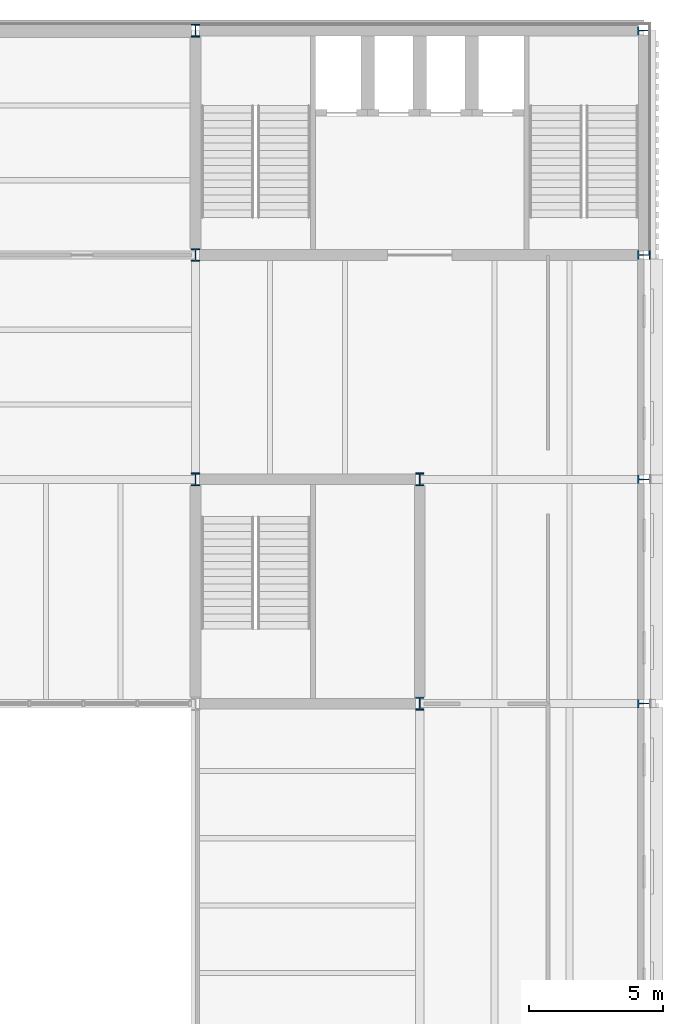
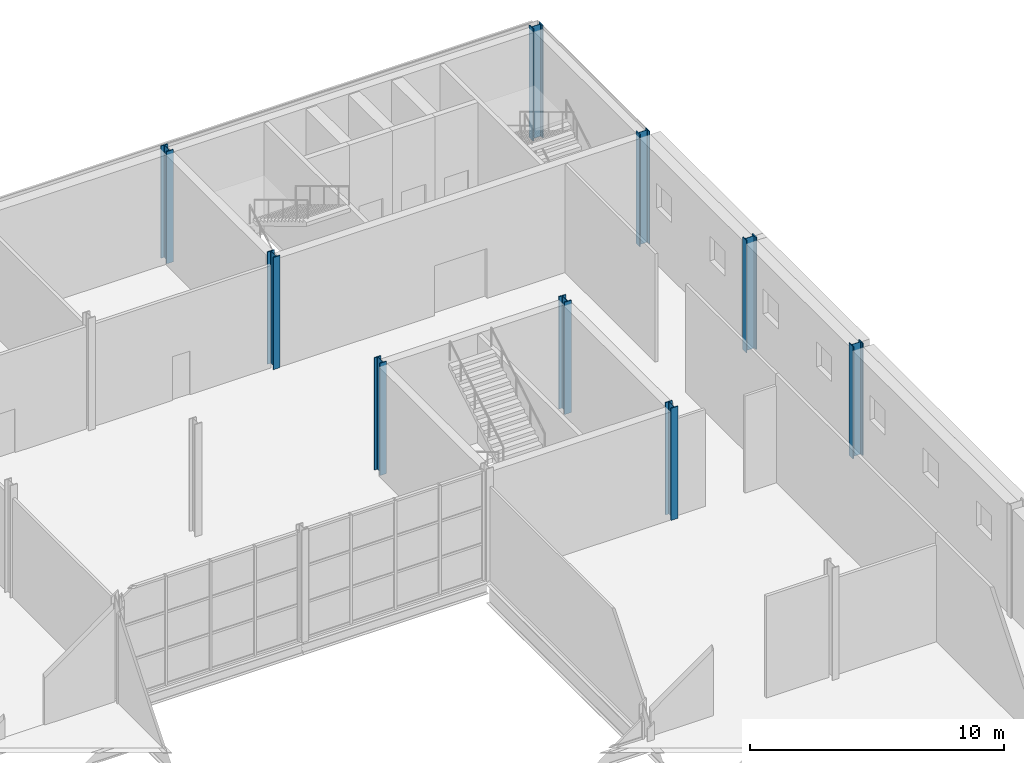
# One storey, part 8 of 57: 9 columns.
"""IFC4 building model written with IfcOpenShell, lengths in metres."""

from ifc_helpers import new_model, si_unit, direction, frame, origin, origin_2d, place, context, subcontext, project, spatial, i_section, extrude, material, material_profile, profile_set, type_object, element, save


model = new_model("IFC4")

# Units and contexts
model_context = context("Model", 3, precision=1e-05, world=origin(), true_north=direction((0.0, 1.0)))
body_context = subcontext(model_context, "Body", "Model", "MODEL_VIEW")
ifc_project = project(units=[si_unit("LENGTHUNIT", "METRE"), si_unit("AREAUNIT", "SQUARE_METRE"), si_unit("VOLUMEUNIT", "CUBIC_METRE"), si_unit("PLANEANGLEUNIT", "RADIAN"), si_unit("MASSUNIT", "GRAM", prefix="KILO")], contexts=[model_context])

# Site, building, storey
site_placement = place(None, origin())
site = spatial("IfcSite", under=ifc_project, at=site_placement, CompositionType="ELEMENT")
building_placement = place(site_placement, origin())
building = spatial("IfcBuilding", under=site, at=building_placement, Name="Galleria Vessillo Department Store", CompositionType="ELEMENT")
storey_placement = place(building_placement, frame((0.0, 0.0, 25.800048828125)))
storey = spatial("IfcBuildingStorey", under=building, at=storey_placement, Name="L05", CompositionType="ELEMENT", Elevation=25.800048828125)

# Columns
ifc_material = material(Name="Steel S355 J2", Category="steel")
ifc_material_profile = material_profile(ifc_material, i_section(OverallWidth=0.306884765625, OverallDepth=0.47802734375, WebThickness=0.02099609375, FlangeThickness=0.0400390625, FilletRadius=0.027099609375, at=origin_2d()), Name="HEM 450")
ifc_profile_set = profile_set([ifc_material_profile], Name="Steel S355 J2")
column_type = type_object("IfcColumnType", Name="Steel column HEM 450 CT2", PredefinedType="COLUMN", material=ifc_profile_set)
for number, where, z_axis, x_axis, name in (
    (1, (100.800048828125, 46.199951171875, 0.0), (0.0, 0.0, 1.0), (1.0, 0.0, 0.0), "S-COL-L05-13-F"),
    (2, (100.800048828125, 54.60009765625, 0.0), (0.0, 0.0, 1.0), (1.0, 0.0, 0.0), "S-COL-L05-13-G"),
    (3, (100.800048828125, 63.0, 0.0), (0.0, 0.0, 1.0), (1.0, 0.0, 0.0), "S-COL-L05-13-H"),
    (4, (109.199951171875, 37.800048828125, 0.0), (0.0, 0.0, 1.0), (1.0, 0.0, 0.0), "S-COL-L05-14-E"),
    (5, (109.199951171875, 46.199951171875, 0.0), (0.0, 0.0, 1.0), (1.0, 0.0, 0.0), "S-COL-L05-14-F"),
    (6, (117.60009765625, 37.800048828125, 0.0), (0.0, 0.0, 1.0), (0.0, 1.0, 0.0), "S-COL-L05-15-E"),
    (7, (117.60009765625, 46.199951171875, 0.0), (0.0, 0.0, 1.0), (0.0, 1.0, 0.0), "S-COL-L05-15-F"),
    (8, (117.60009765625, 54.60009765625, 0.0), (0.0, 0.0, 1.0), (0.0, 1.0, 0.0), "S-COL-L05-15-G"),
    (9, (117.60009765625, 63.0, 0.0), (0.0, 0.0, 1.0), (0.0, 1.0, 0.0), "S-COL-L05-15-H"),
):
    element("IfcColumn", number, at=place(storey_placement, frame(where, z_axis=z_axis, x_axis=x_axis)), inside=storey, type_object=column_type, Name=name, PredefinedType="COLUMN", context=body_context, shape_type="SweptSolid", body=[
        extrude(i_section(OverallWidth=0.306884765625, OverallDepth=0.47802734375, WebThickness=0.02099609375, FlangeThickness=0.0400390625, FilletRadius=0.027099609375, at=origin_2d()), origin(), (0.0, 0.0, 1.0), 5.39990234375),
    ])

save(model, "model.ifc")
